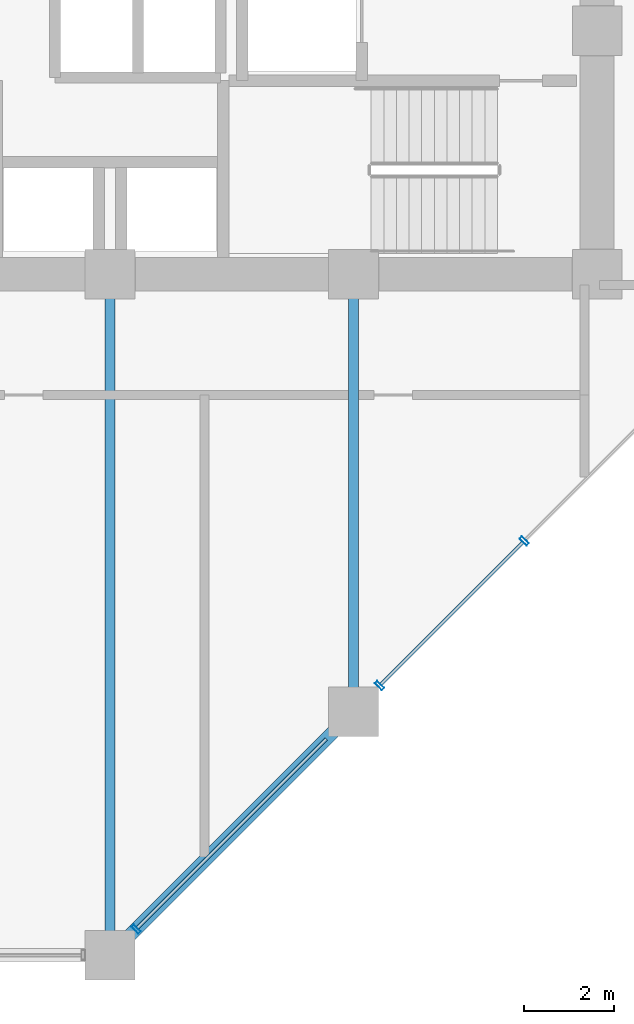
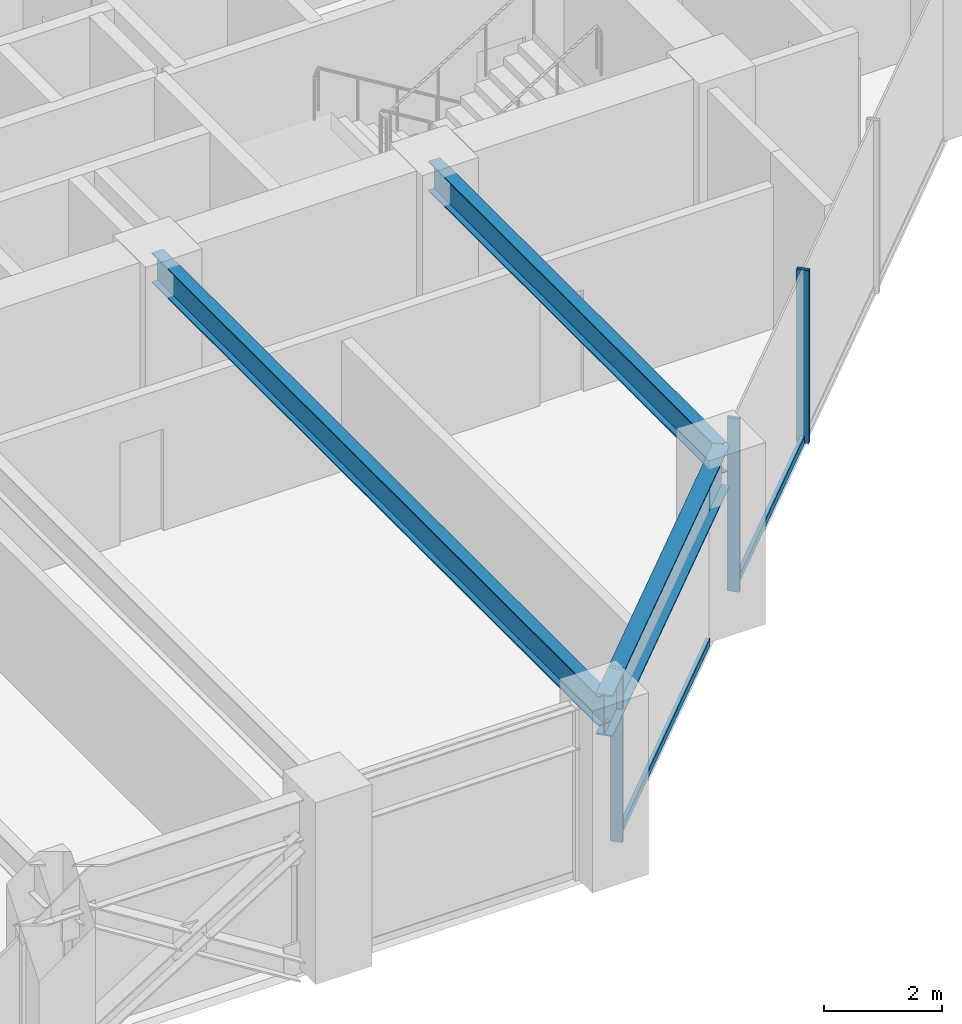
# One storey, part 7 of 25: 5 members, 3 beams, 1 element without a shape of its own.
"""IFC4 building model written with IfcOpenShell, lengths in metres."""

from ifc_helpers import new_model, si_unit, direction, frame, origin, origin_2d, place, context, subcontext, project, spatial, hollow_rectangle, i_section, extrude, material, layer, layer_set, material_profile, profile_set, type_object, element, aggregate, save


model = new_model("IFC4")

# Units and contexts
model_context = context("Model", 3, precision=1e-05, world=origin(), true_north=direction((0.0, 1.0)))
body_context = subcontext(model_context, "Body", "Model", "MODEL_VIEW")
ifc_project = project(units=[si_unit("LENGTHUNIT", "METRE"), si_unit("AREAUNIT", "SQUARE_METRE"), si_unit("VOLUMEUNIT", "CUBIC_METRE"), si_unit("PLANEANGLEUNIT", "RADIAN"), si_unit("MASSUNIT", "GRAM", prefix="KILO")], contexts=[model_context])

# Site, building, storey
site_placement = place(None, origin())
site = spatial("IfcSite", under=ifc_project, at=site_placement, CompositionType="ELEMENT")
building_placement = place(site_placement, origin())
building = spatial("IfcBuilding", under=site, at=building_placement, Name="Surkhivell Harbour Commons", CompositionType="ELEMENT")
storey_placement = place(building_placement, frame((0.0, 0.0, 117.0)))
storey = spatial("IfcBuildingStorey", under=building, at=storey_placement, Name="L30", CompositionType="ELEMENT", Elevation=117.0)

# Beams
ifc_material_1 = material(Name="Steel S355", Category="steel")
ifc_material_profile_1 = material_profile(ifc_material_1, i_section(OverallWidth=0.22998046875, OverallDepth=0.616943359375, WebThickness=0.01318359375, FlangeThickness=0.022216796875, at=origin_2d()), Name="UB610x229x140")
ifc_profile_set_1 = profile_set([ifc_material_profile_1], Name="Steel S355")
beam_type_1 = type_object("IfcBeamType", Name="BM-GRD-610B", PredefinedType="BEAM", material=ifc_profile_set_1)
beam_1_placement = place(storey_placement, frame((0.0, -25.89990234375, 3.261474609375), z_axis=(0.0, 1.0, 0.0), x_axis=(-1.0, 0.0, 0.0)))
element("IfcBeam", 1, at=beam_1_placement, inside=storey, type_object=beam_type_1, Name="L30 Floor Girder (0.0,-25.9)", PredefinedType="BEAM", context=body_context, shape_type="SweptSolid", body=[
    extrude(i_section(OverallWidth=0.22998046875, OverallDepth=0.616943359375, WebThickness=0.01318359375, FlangeThickness=0.022216796875, at=origin_2d()), origin(), (0.0, 0.0, 1.0), 15.099853515625),
])
beam_2_placement = place(storey_placement, frame((5.39990234375, -20.5, 3.261474609375), z_axis=(0.0, 1.0, 0.0), x_axis=(-1.0, 0.0, 0.0)))
element("IfcBeam", 2, at=beam_2_placement, inside=storey, type_object=beam_type_1, Name="L30 Floor Girder (5.4,-20.5)", PredefinedType="BEAM", context=body_context, shape_type="SweptSolid", body=[
    extrude(i_section(OverallWidth=0.22998046875, OverallDepth=0.616943359375, WebThickness=0.01318359375, FlangeThickness=0.022216796875, at=origin_2d()), origin(), (0.0, 0.0, 1.0), 9.699951171875),
])
ifc_material_2 = material(Name="Steel S460", Category="steel")
ifc_material_profile_2 = material_profile(ifc_material_2, i_section(OverallWidth=0.2939453125, OverallDepth=0.85107421875, WebThickness=0.01611328125, FlangeThickness=0.02685546875, at=origin_2d()), Name="UB838x292x226")
ifc_profile_set_2 = profile_set([ifc_material_profile_2], Name="Steel S460")
beam_type_2 = type_object("IfcBeamType", Name="BM-SPN-838", PredefinedType="SPANDREL", material=ifc_profile_set_2)
beam_3_placement = place(storey_placement, frame((0.0, -25.89990234375, 3.14453125), z_axis=(0.707106781187, 0.707106781187, 0.0), x_axis=(-0.707106781187, 0.707106781187, 0.0)))
element("IfcBeam", 3, at=beam_3_placement, inside=storey, type_object=beam_type_2, Name="L30 Tube Spandrel (-0.0,-25.9)", PredefinedType="SPANDREL", context=body_context, shape_type="SweptSolid", body=[
    extrude(i_section(OverallWidth=0.2939453125, OverallDepth=0.85107421875, WebThickness=0.01611328125, FlangeThickness=0.02685546875, at=origin_2d()), origin(), (0.0, 0.0, 1.0), 7.63671875),
])

# Curtain wall, members
ifc_material_3 = material(Name="Anodised pale-metal aluminium and insulated glazing", Category="aluminium")
ifc_layer = layer(ifc_material_3, 0.205078125)
ifc_layer_set = layer_set([ifc_layer], Name="Anodised pale-metal aluminium and insulated glazing")
curtain_wall_type = type_object("IfcCurtainWallType", Name="CW-SYS-Z2", PredefinedType="NOTDEFINED", material=ifc_layer_set)
curtain_wall_placement = place(storey_placement, origin())
curtain_wall = element("IfcCurtainWall", 4, at=curtain_wall_placement, inside=storey, type_object=curtain_wall_type, Name="L30 Curtain Wall CW-L30-E01", PredefinedType="NOTDEFINED")
ifc_material_4 = material(Name="Anodised pale-metal aluminium alloy 6063-T6", Category="aluminium")
ifc_material_profile_3 = material_profile(ifc_material_4, hollow_rectangle(XDim=0.074951171875, YDim=0.219970703125, WallThickness=0.00390625, at=origin_2d()), Name="ALU-MULL-75x220")
ifc_profile_set_3 = profile_set([ifc_material_profile_3], Name="Anodised pale-metal aluminium alloy 6063-T6")
member_type_1 = type_object("IfcMemberType", Name="CWM-220", PredefinedType="MULLION", material=ifc_profile_set_3)
member_1_placement = place(storey_placement, frame((0.578125, -25.32177734375, 0.0), z_axis=(0.0, 0.0, 1.0), x_axis=(0.707106781187, 0.707106781187, 0.0)))
member_1 = element("IfcMember", 5, at=member_1_placement, type_object=member_type_1, Name="CW-Z2 mullion 1", PredefinedType="MULLION", context=body_context, shape_type="SweptSolid", body=[
    extrude(hollow_rectangle(XDim=0.074951171875, YDim=0.219970703125, WallThickness=0.00390625, at=origin_2d()), origin(), (0.0, 0.0, 1.0), 3.570068359375),
])
member_2_placement = place(storey_placement, frame((5.978271484375, -19.921875, 0.0), z_axis=(0.0, 0.0, 1.0), x_axis=(0.707106781187, 0.707106781187, 0.0)))
member_2 = element("IfcMember", 6, at=member_2_placement, type_object=member_type_1, Name="CW-Z2 mullion 2", PredefinedType="MULLION", context=body_context, shape_type="SweptSolid", body=[
    extrude(hollow_rectangle(XDim=0.074951171875, YDim=0.219970703125, WallThickness=0.00390625, at=origin_2d()), origin(), (0.0, 0.0, 1.0), 3.570068359375),
])
member_3_placement = place(storey_placement, frame((9.183837890625, -16.716064453125, 0.0), z_axis=(0.0, 0.0, 1.0), x_axis=(0.707106781187, 0.707106781187, 0.0)))
member_3 = element("IfcMember", 7, at=member_3_placement, type_object=member_type_1, Name="CW-Z2 mullion 3", PredefinedType="MULLION", context=body_context, shape_type="SweptSolid", body=[
    extrude(hollow_rectangle(XDim=0.074951171875, YDim=0.219970703125, WallThickness=0.00390625, at=origin_2d()), origin(), (0.0, 0.0, 1.0), 3.570068359375),
])
ifc_material_profile_4 = material_profile(ifc_material_4, hollow_rectangle(XDim=0.074951171875, YDim=0.14990234375, WallThickness=0.00341796875, at=origin_2d()), Name="ALU-TRAN-75x150")
ifc_profile_set_4 = profile_set([ifc_material_profile_4], Name="Anodised pale-metal aluminium alloy 6063-T6")
member_type_2 = type_object("IfcMemberType", Name="CWT-150", PredefinedType="USERDEFINED", material=ifc_profile_set_4)
member_4_placement = place(storey_placement, frame((0.604736328125, -25.295166015625, 0.074951171875), z_axis=(0.707106781187, 0.707106781187, 0.0), x_axis=(-0.707106781187, 0.707106781187, 0.0)))
member_4 = element("IfcMember", 8, at=member_4_placement, type_object=member_type_2, Name="CW-Z2 transom 1.1", ObjectType="TRANSOM", PredefinedType="USERDEFINED", context=body_context, shape_type="SweptSolid", body=[
    extrude(hollow_rectangle(XDim=0.074951171875, YDim=0.14990234375, WallThickness=0.00341796875, at=origin_2d()), origin(), (0.0, 0.0, 1.0), 5.92626953125),
])
member_5_placement = place(storey_placement, frame((6.004638671875, -19.895263671875, 0.074951171875), z_axis=(0.707134159244, 0.707079402069, 0.0), x_axis=(-0.707079402069, 0.707134159244, 0.0)))
member_5 = element("IfcMember", 9, at=member_5_placement, type_object=member_type_2, Name="CW-Z2 transom 2.1", ObjectType="TRANSOM", PredefinedType="USERDEFINED", context=body_context, shape_type="SweptSolid", body=[
    extrude(hollow_rectangle(XDim=0.074951171875, YDim=0.14990234375, WallThickness=0.00341796875, at=origin_2d()), origin(), (0.0, 0.0, 1.0), 4.45849609375),
])
aggregate(curtain_wall, [member_1, member_4, member_2, member_3, member_5])

save(model, "model.ifc")
